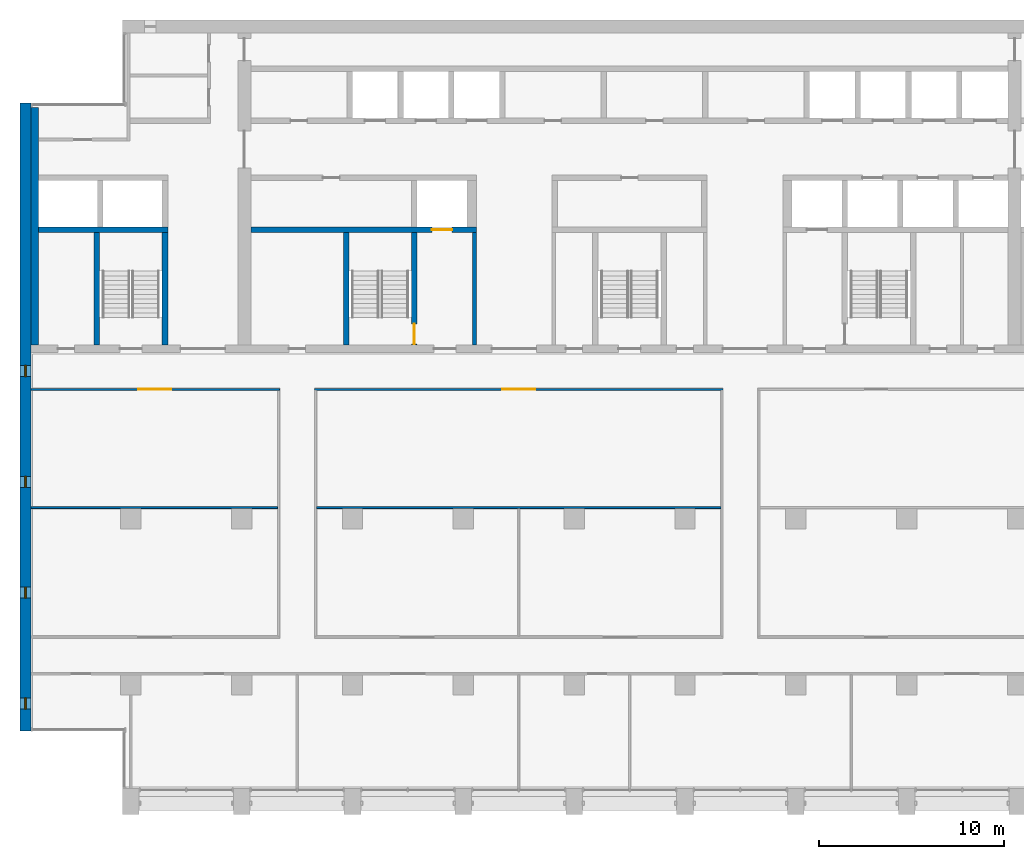
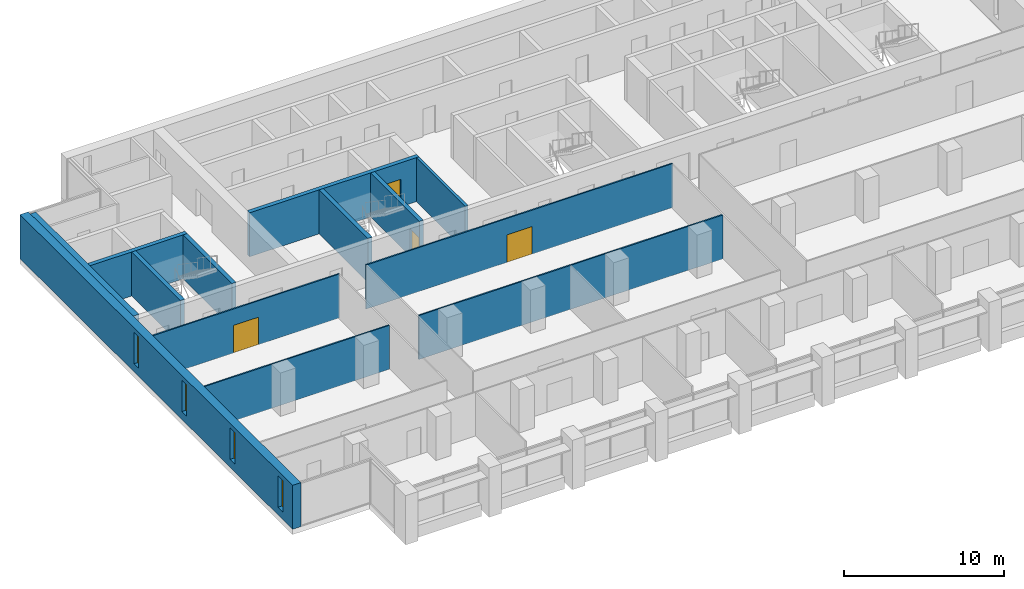
# One storey, part 8 of 17: 13 walls, 4 doors, 4 windows, 8 openings.
"""IFC4 building model written with IfcOpenShell, lengths in metres."""

from ifc_helpers import new_model, si_unit, direction, frame, frame_2d, origin, place, context, subcontext, project, spatial, rectangle, extrude, material, layer, layer_set, type_object, element, fill, save


model = new_model("IFC4")

# Units and contexts
model_context = context("Model", 3, precision=1e-05, world=origin(), true_north=direction((0.0, 1.0)))
body_context = subcontext(model_context, "Body", "Model", "MODEL_VIEW")
ifc_project = project(units=[si_unit("LENGTHUNIT", "METRE"), si_unit("AREAUNIT", "SQUARE_METRE"), si_unit("VOLUMEUNIT", "CUBIC_METRE"), si_unit("PLANEANGLEUNIT", "RADIAN"), si_unit("MASSUNIT", "GRAM", prefix="KILO")], contexts=[model_context])

# Site, building, storey
site_placement = place(None, origin())
site = spatial("IfcSite", under=ifc_project, at=site_placement, CompositionType="ELEMENT")
building_placement = place(site_placement, origin())
building = spatial("IfcBuilding", under=site, at=building_placement, Name="Calvaro Tower", CompositionType="ELEMENT")
storey_placement = place(building_placement, frame((0.0, 0.0, 193.0)))
storey = spatial("IfcBuildingStorey", under=building, at=storey_placement, Name="L48", CompositionType="ELEMENT", Elevation=193.0)

# Walls
ifc_material_1 = material(Name="Blockwork partition", Category="masonry")
ifc_layer_1 = layer(ifc_material_1, 0.199951171875)
ifc_layer_set_1 = layer_set([ifc_layer_1], Name="Blockwork partition")
wall_type_1 = type_object("IfcWallType", Name="Core partition 200 REI 120", PredefinedType="PARTITIONING", material=ifc_layer_set_1)
wall_1_placement = place(storey_placement, frame((30.60009765625, 28.39990234375, 0.0), z_axis=(0.0, 0.0, 1.0), x_axis=(0.0, 1.0, 0.0)))
element("IfcWall", 1, at=wall_1_placement, inside=storey, type_object=wall_type_1, Name="Core partition", PredefinedType="PARTITIONING", context=body_context, shape_type="SweptSolid", body=[
    extrude(rectangle(XDim=6.10009765625, YDim=0.199951171875, at=frame_2d((3.050048828125, 0.0))), origin(), (0.0, 0.0, 1.0), 3.35009765625),
])
ifc_material_2 = material(Name="Concrete C50/60", Category="concrete")
ifc_layer_2 = layer(ifc_material_2, 0.300048828125)
ifc_layer_set_2 = layer_set([ifc_layer_2], Name="Concrete C50/60")
wall_type_2 = type_object("IfcWallType", Name="Core wall C50/60 300", PredefinedType="SHEAR", material=ifc_layer_set_2)
for number, where, z_axis, x_axis, name in (
    (2, (10.14990234375, 28.39990234375, 0.0), (0.0, 0.0, 1.0), (0.0, 1.0, 0.0), "Core wall, stair enclosure"),
    (3, (13.85009765625, 28.39990234375, 0.0), (0.0, 0.0, 1.0), (0.0, 1.0, 0.0), "Core wall, stair enclosure"),
    (4, (23.64990234375, 28.39990234375, 0.0), (0.0, 0.0, 1.0), (0.0, 1.0, 0.0), "Core wall, stair enclosure"),
):
    element("IfcWall", number, at=place(storey_placement, frame(where, z_axis=z_axis, x_axis=x_axis)), inside=storey, type_object=wall_type_2, Name=name, PredefinedType="SHEAR", context=body_context, shape_type="SweptSolid", body=[
        extrude(rectangle(XDim=6.10009765625, YDim=0.300048828125, at=frame_2d((3.050048828125, 0.0))), origin(), (0.0, 0.0, 1.0), 3.35009765625),
    ])

# Wall, opening, door
wall_2_placement = place(storey_placement, frame((27.35009765625, 28.39990234375, 0.0), z_axis=(0.0, 0.0, 1.0), x_axis=(0.0, 1.0, 0.0)))
wall_2 = element("IfcWall", 5, at=wall_2_placement, inside=storey, type_object=wall_type_2, Name="Core wall, stair enclosure", PredefinedType="SHEAR", context=body_context, shape_type="SweptSolid", body=[
    extrude(rectangle(XDim=6.10009765625, YDim=0.300048828125, at=frame_2d((3.050048828125, 0.0))), origin(), (0.0, 0.0, 1.0), 3.35009765625),
])
opening_1_placement = place(wall_2_placement, frame((0.050048828125, 0.0, 0.0)))
opening_1 = element("IfcOpeningElement", 6, at=opening_1_placement, cuts=wall_2, Name="Opening FD11D", PredefinedType="OPENING", context=body_context, shape_type="SweptSolid", body=[
    extrude(rectangle(XDim=1.10009765625, YDim=2.10009765625, at=frame_2d((0.550048828125, 1.050048828125))), frame((0.0, 0.159912109375, 0.0), z_axis=(0.0, -1.0, 0.0), x_axis=(1.0, 0.0, 0.0)), (0.0, 0.0, 1.0), 0.320068359375),
])
ifc_material_3 = material(Name="Steel door set", Category="steel")
door_type_1 = type_object("IfcDoorType", Name="Fire door 1100 FD30S", OperationType="SINGLE_SWING_LEFT", PredefinedType="DOOR", material=ifc_material_3)
door_1_placement = place(opening_1_placement, origin())
door_1 = element("IfcDoor", 7, at=door_1_placement, inside=storey, type_object=door_type_1, Name="Fire door", OperationType="SINGLE_SWING_LEFT", OverallHeight=2.10009765625, OverallWidth=1.10009765625, PredefinedType="DOOR", context=body_context, shape_type="SweptSolid", body=[
    extrude(rectangle(XDim=1.10009765625, YDim=2.10009765625, at=frame_2d((0.550048828125, 1.050048828125))), frame((0.0, 0.02490234375, 0.0), z_axis=(0.0, -1.0, 0.0), x_axis=(1.0, 0.0, 0.0)), (0.0, 0.0, 1.0), 0.050048828125),
])
fill(opening_1, door_1)

# Wall
wall_3_placement = place(storey_placement, frame((7.0, 34.64990234375, 0.0), z_axis=(0.0, 0.0, 1.0), x_axis=(1.0, 0.0, 0.0)))
element("IfcWall", 8, at=wall_3_placement, inside=storey, type_object=wall_type_2, Name="Core wall, lift shaft", PredefinedType="SHEAR", context=body_context, shape_type="SweptSolid", body=[
    extrude(rectangle(XDim=7.0, YDim=0.300048828125, at=frame_2d((3.5, 0.0))), origin(), (0.0, 0.0, 1.0), 3.35009765625),
])

# Wall, opening, door
wall_4_placement = place(storey_placement, frame((18.5, 34.64990234375, 0.0), z_axis=(0.0, 0.0, 1.0), x_axis=(1.0, 0.0, 0.0)))
wall_4 = element("IfcWall", 9, at=wall_4_placement, inside=storey, type_object=wall_type_2, Name="Core wall, lift shaft", PredefinedType="SHEAR", context=body_context, shape_type="SweptSolid", body=[
    extrude(rectangle(XDim=12.199951171875, YDim=0.300048828125, at=frame_2d((6.10009765625, 0.0))), origin(), (0.0, 0.0, 1.0), 3.35009765625),
])
opening_2_placement = place(wall_4_placement, frame((9.800048828125, 0.0, 0.0)))
opening_2 = element("IfcOpeningElement", 10, at=opening_2_placement, cuts=wall_4, Name="Opening FF1", PredefinedType="OPENING", context=body_context, shape_type="SweptSolid", body=[
    extrude(rectangle(XDim=1.10009765625, YDim=2.10009765625, at=frame_2d((0.550048828125, 1.050048828125))), frame((0.0, 0.159912109375, 0.0), z_axis=(0.0, -1.0, 0.0), x_axis=(1.0, 0.0, 0.0)), (0.0, 0.0, 1.0), 0.320068359375),
])
ifc_material_4 = material(Name="Stainless steel", Category="steel")
door_type_2 = type_object("IfcDoorType", Name="Landing door 1100 E 60", OperationType="SLIDING_TO_LEFT", PredefinedType="DOOR", material=ifc_material_4)
door_2_placement = place(opening_2_placement, origin())
door_2 = element("IfcDoor", 11, at=door_2_placement, inside=storey, type_object=door_type_2, Name="Landing door FF1", OperationType="SLIDING_TO_LEFT", OverallHeight=2.10009765625, OverallWidth=1.10009765625, PredefinedType="DOOR", context=body_context, shape_type="SweptSolid", body=[
    extrude(rectangle(XDim=1.10009765625, YDim=2.10009765625, at=frame_2d((0.550048828125, 1.050048828125))), frame((0.0, 0.02490234375, 0.0), z_axis=(0.0, -1.0, 0.0), x_axis=(1.0, 0.0, 0.0)), (0.0, 0.0, 1.0), 0.050048828125),
])
fill(opening_2, door_2)

# Wall
ifc_material_5 = material(Name="Concrete C50/60", Category="concrete")
ifc_layer_3 = layer(ifc_material_5, 0.39990234375)
ifc_layer_set_3 = layer_set([ifc_layer_3], Name="Concrete C50/60")
wall_type_3 = type_object("IfcWallType", Name="Core wall C50/60 400", PredefinedType="SHEAR", material=ifc_layer_set_3)
wall_5_placement = place(storey_placement, frame((6.800048828125, 28.39990234375, 0.0), z_axis=(0.0, 0.0, 1.0), x_axis=(0.0, 1.0, 0.0)))
element("IfcWall", 12, at=wall_5_placement, inside=storey, type_object=wall_type_3, Name="Core wall, boundary", PredefinedType="SHEAR", context=body_context, shape_type="SweptSolid", body=[
    extrude(rectangle(XDim=12.85009765625, YDim=0.39990234375, at=frame_2d((6.425048828125, 0.0))), origin(), (0.0, 0.0, 1.0), 3.35009765625),
])

# Wall, openings, windows
ifc_material_6 = material(Name="Concrete C50/60", Category="concrete")
ifc_layer_4 = layer(ifc_material_6, 0.60009765625)
ifc_layer_set_4 = layer_set([ifc_layer_4], Name="Concrete C50/60")
wall_type_4 = type_object("IfcWallType", Name="End wall 600 C50/60", PredefinedType="SHEAR", material=ifc_layer_set_4)
wall_6_placement = place(storey_placement, frame((6.300048828125, 7.5, 0.0), z_axis=(0.0, 0.0, 1.0), x_axis=(0.0, 1.0, 0.0)))
wall_6 = element("IfcWall", 13, at=wall_6_placement, inside=storey, type_object=wall_type_4, Name="End shear wall", PredefinedType="SHEAR", context=body_context, shape_type="SweptSolid", body=[
    extrude(rectangle(XDim=34.0, YDim=0.60009765625, at=frame_2d((17.0, 0.0))), origin(), (0.0, 0.0, 1.0), 3.35009765625),
])
opening_3_placement = place(wall_6_placement, frame((1.199951171875, 0.0, 0.60009765625)))
opening_3 = element("IfcOpeningElement", 14, at=opening_3_placement, cuts=wall_6, Name="Opening WW01", PredefinedType="OPENING", context=body_context, shape_type="SweptSolid", body=[
    extrude(rectangle(XDim=0.60009765625, YDim=2.39990234375, at=frame_2d((0.300048828125, 1.199951171875))), frame((0.0, 0.31005859375, 0.0), z_axis=(0.0, -1.0, 0.0), x_axis=(1.0, 0.0, 0.0)), (0.0, 0.0, 1.0), 0.6201171875),
])
opening_4_placement = place(wall_6_placement, frame((7.199951171875, 0.0, 0.60009765625)))
opening_4 = element("IfcOpeningElement", 15, at=opening_4_placement, cuts=wall_6, Name="Opening WW02", PredefinedType="OPENING", context=body_context, shape_type="SweptSolid", body=[
    extrude(rectangle(XDim=0.60009765625, YDim=2.39990234375, at=frame_2d((0.300048828125, 1.199951171875))), frame((0.0, 0.31005859375, 0.0), z_axis=(0.0, -1.0, 0.0), x_axis=(1.0, 0.0, 0.0)), (0.0, 0.0, 1.0), 0.6201171875),
])
opening_5_placement = place(wall_6_placement, frame((13.199951171875, 0.0, 0.60009765625)))
opening_5 = element("IfcOpeningElement", 16, at=opening_5_placement, cuts=wall_6, Name="Opening WW03", PredefinedType="OPENING", context=body_context, shape_type="SweptSolid", body=[
    extrude(rectangle(XDim=0.60009765625, YDim=2.39990234375, at=frame_2d((0.300048828125, 1.199951171875))), frame((0.0, 0.31005859375, 0.0), z_axis=(0.0, -1.0, 0.0), x_axis=(1.0, 0.0, 0.0)), (0.0, 0.0, 1.0), 0.6201171875),
])
opening_6_placement = place(wall_6_placement, frame((19.199951171875, 0.0, 0.60009765625)))
opening_6 = element("IfcOpeningElement", 17, at=opening_6_placement, cuts=wall_6, Name="Opening WW04", PredefinedType="OPENING", context=body_context, shape_type="SweptSolid", body=[
    extrude(rectangle(XDim=0.60009765625, YDim=2.39990234375, at=frame_2d((0.300048828125, 1.199951171875))), frame((0.0, 0.31005859375, 0.0), z_axis=(0.0, -1.0, 0.0), x_axis=(1.0, 0.0, 0.0)), (0.0, 0.0, 1.0), 0.6201171875),
])
ifc_material_7 = material(Name="Glass", Category="glass")
window_type = type_object("IfcWindowType", Name="Slit window 600 x 2400", PartitioningType="SINGLE_PANEL", PredefinedType="WINDOW", material=ifc_material_7)
window_1_placement = place(opening_3_placement, origin())
window_1 = element("IfcWindow", 18, at=window_1_placement, inside=storey, type_object=window_type, Name="Window WW01", OverallHeight=2.39990234375, OverallWidth=0.60009765625, PartitioningType="SINGLE_PANEL", PredefinedType="WINDOW", context=body_context, shape_type="SweptSolid", body=[
    extrude(rectangle(XDim=0.60009765625, YDim=2.39990234375, at=frame_2d((0.300048828125, 1.199951171875))), frame((0.0, 0.030029296875, 0.0), z_axis=(0.0, -1.0, 0.0), x_axis=(1.0, 0.0, 0.0)), (0.0, 0.0, 1.0), 0.06005859375),
])
fill(opening_3, window_1)
window_2_placement = place(opening_4_placement, origin())
window_2 = element("IfcWindow", 19, at=window_2_placement, inside=storey, type_object=window_type, Name="Window WW02", OverallHeight=2.39990234375, OverallWidth=0.60009765625, PartitioningType="SINGLE_PANEL", PredefinedType="WINDOW", context=body_context, shape_type="SweptSolid", body=[
    extrude(rectangle(XDim=0.60009765625, YDim=2.39990234375, at=frame_2d((0.300048828125, 1.199951171875))), frame((0.0, 0.030029296875, 0.0), z_axis=(0.0, -1.0, 0.0), x_axis=(1.0, 0.0, 0.0)), (0.0, 0.0, 1.0), 0.06005859375),
])
fill(opening_4, window_2)
window_3_placement = place(opening_5_placement, origin())
window_3 = element("IfcWindow", 20, at=window_3_placement, inside=storey, type_object=window_type, Name="Window WW03", OverallHeight=2.39990234375, OverallWidth=0.60009765625, PartitioningType="SINGLE_PANEL", PredefinedType="WINDOW", context=body_context, shape_type="SweptSolid", body=[
    extrude(rectangle(XDim=0.60009765625, YDim=2.39990234375, at=frame_2d((0.300048828125, 1.199951171875))), frame((0.0, 0.030029296875, 0.0), z_axis=(0.0, -1.0, 0.0), x_axis=(1.0, 0.0, 0.0)), (0.0, 0.0, 1.0), 0.06005859375),
])
fill(opening_5, window_3)
window_4_placement = place(opening_6_placement, origin())
window_4 = element("IfcWindow", 21, at=window_4_placement, inside=storey, type_object=window_type, Name="Window WW04", OverallHeight=2.39990234375, OverallWidth=0.60009765625, PartitioningType="SINGLE_PANEL", PredefinedType="WINDOW", context=body_context, shape_type="SweptSolid", body=[
    extrude(rectangle(XDim=0.60009765625, YDim=2.39990234375, at=frame_2d((0.300048828125, 1.199951171875))), frame((0.0, 0.030029296875, 0.0), z_axis=(0.0, -1.0, 0.0), x_axis=(1.0, 0.0, 0.0)), (0.0, 0.0, 1.0), 0.06005859375),
])
fill(opening_6, window_4)

# Walls
ifc_material_8 = material(Name="Plasterboard on steel studs", Category="steel")
ifc_layer_5 = layer(ifc_material_8, 0.10009765625)
ifc_layer_set_5 = layer_set([ifc_layer_5], Name="Plasterboard on steel studs")
wall_type_5 = type_object("IfcWallType", Name="Partition 100", PredefinedType="PARTITIONING", material=ifc_layer_set_5)
wall_7_placement = place(storey_placement, frame((6.60009765625, 19.60009765625, 0.0), z_axis=(0.0, 0.0, 1.0), x_axis=(1.0, 0.0, 0.0)))
element("IfcWall", 22, at=wall_7_placement, inside=storey, type_object=wall_type_5, Name="Partition T28.W005", PredefinedType="PARTITIONING", context=body_context, shape_type="SweptSolid", body=[
    extrude(rectangle(XDim=13.349853515625, YDim=0.10009765625, at=frame_2d((6.6748046875, 0.0))), origin(), (0.0, 0.0, 1.0), 3.35009765625),
])
wall_8_placement = place(storey_placement, frame((22.050048828125, 19.60009765625, 0.0), z_axis=(0.0, 0.0, 1.0), x_axis=(1.0, 0.0, 0.0)))
element("IfcWall", 23, at=wall_8_placement, inside=storey, type_object=wall_type_5, Name="Partition T28.W006", PredefinedType="PARTITIONING", context=body_context, shape_type="SweptSolid", body=[
    extrude(rectangle(XDim=21.89990234375, YDim=0.10009765625, at=frame_2d((10.949951171875, 0.0))), origin(), (0.0, 0.0, 1.0), 3.35009765625),
])

# Wall, opening, door
wall_9_placement = place(storey_placement, frame((6.60009765625, 26.0, 0.0), z_axis=(0.0, 0.0, 1.0), x_axis=(1.0, 0.0, 0.0)))
wall_9 = element("IfcWall", 24, at=wall_9_placement, inside=storey, type_object=wall_type_5, Name="Partition T28.W008", PredefinedType="PARTITIONING", context=body_context, shape_type="SweptSolid", body=[
    extrude(rectangle(XDim=13.449951171875, YDim=0.10009765625, at=frame_2d((6.72509765625, 0.0))), origin(), (0.0, 0.0, 1.0), 3.35009765625),
])
opening_7_placement = place(wall_9_placement, frame((5.800048828125, 0.0, 0.0)))
opening_7 = element("IfcOpeningElement", 25, at=opening_7_placement, cuts=wall_9, Name="Opening T28.013", PredefinedType="OPENING", context=body_context, shape_type="SweptSolid", body=[
    extrude(rectangle(XDim=1.800048828125, YDim=2.10009765625, at=frame_2d((0.89990234375, 1.050048828125))), frame((0.0, 0.06005859375, 0.0), z_axis=(0.0, -1.0, 0.0), x_axis=(1.0, 0.0, 0.0)), (0.0, 0.0, 1.0), 0.1201171875),
])
ifc_material_9 = material(Name="Timber", Category="wood")
door_type_3 = type_object("IfcDoorType", Name="Internal double door 1800 x 2100", OperationType="DOUBLE_DOOR_SINGLE_SWING", PredefinedType="DOOR", material=ifc_material_9)
door_3_placement = place(opening_7_placement, origin())
door_3 = element("IfcDoor", 26, at=door_3_placement, inside=storey, type_object=door_type_3, Name="Door T28.013", OperationType="DOUBLE_DOOR_SINGLE_SWING", OverallHeight=2.10009765625, OverallWidth=1.800048828125, PredefinedType="DOOR", context=body_context, shape_type="SweptSolid", body=[
    extrude(rectangle(XDim=1.800048828125, YDim=2.10009765625, at=frame_2d((0.89990234375, 1.050048828125))), frame((0.0, 0.02490234375, 0.0), z_axis=(0.0, -1.0, 0.0), x_axis=(1.0, 0.0, 0.0)), (0.0, 0.0, 1.0), 0.050048828125),
])
fill(opening_7, door_3)

wall_10_placement = place(storey_placement, frame((21.949951171875, 26.0, 0.0), z_axis=(0.0, 0.0, 1.0), x_axis=(1.0, 0.0, 0.0)))
wall_10 = element("IfcWall", 27, at=wall_10_placement, inside=storey, type_object=wall_type_5, Name="Partition T28.W009", PredefinedType="PARTITIONING", context=body_context, shape_type="SweptSolid", body=[
    extrude(rectangle(XDim=22.10009765625, YDim=0.10009765625, at=frame_2d((11.050048828125, 0.0))), origin(), (0.0, 0.0, 1.0), 3.35009765625),
])
opening_8_placement = place(wall_10_placement, frame((10.14990234375, 0.0, 0.0)))
opening_8 = element("IfcOpeningElement", 28, at=opening_8_placement, cuts=wall_10, Name="Opening T28.014", PredefinedType="OPENING", context=body_context, shape_type="SweptSolid", body=[
    extrude(rectangle(XDim=1.800048828125, YDim=2.10009765625, at=frame_2d((0.89990234375, 1.050048828125))), frame((0.0, 0.06005859375, 0.0), z_axis=(0.0, -1.0, 0.0), x_axis=(1.0, 0.0, 0.0)), (0.0, 0.0, 1.0), 0.1201171875),
])
door_4_placement = place(opening_8_placement, origin())
door_4 = element("IfcDoor", 29, at=door_4_placement, inside=storey, type_object=door_type_3, Name="Door T28.014", OperationType="DOUBLE_DOOR_SINGLE_SWING", OverallHeight=2.10009765625, OverallWidth=1.800048828125, PredefinedType="DOOR", context=body_context, shape_type="SweptSolid", body=[
    extrude(rectangle(XDim=1.800048828125, YDim=2.10009765625, at=frame_2d((0.89990234375, 1.050048828125))), frame((0.0, 0.02490234375, 0.0), z_axis=(0.0, -1.0, 0.0), x_axis=(1.0, 0.0, 0.0)), (0.0, 0.0, 1.0), 0.050048828125),
])
fill(opening_8, door_4)

save(model, "model.ifc")
